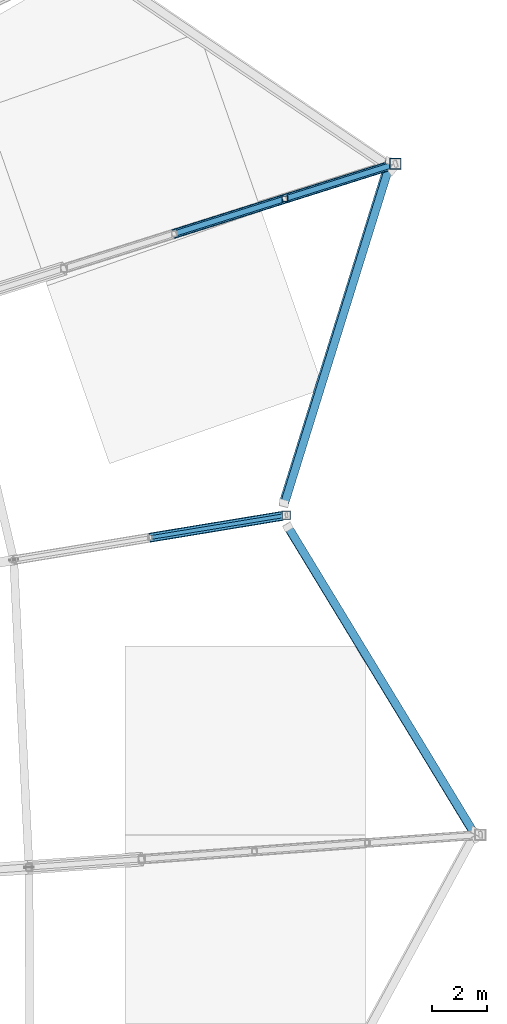
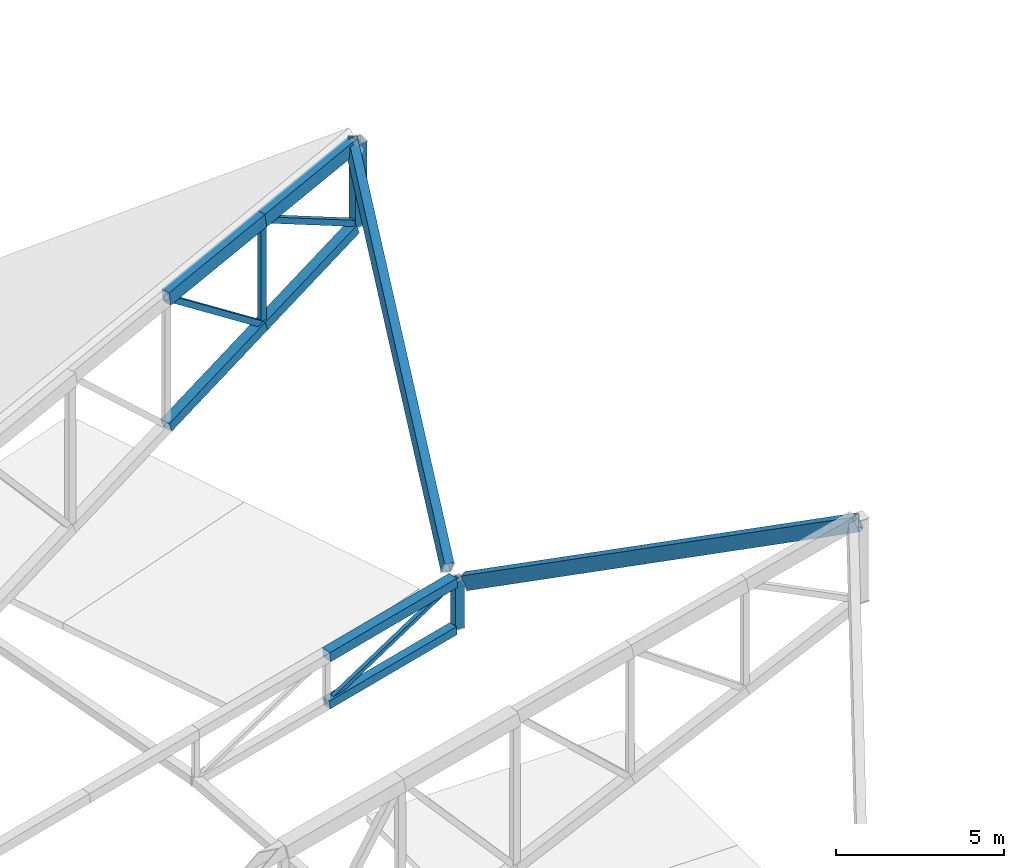
# One storey, part 104 of 188: 12 members, 2 beams.
"""IFC4 building model written with IfcOpenShell, lengths in metres."""

import ifcopenshell
import ifcopenshell.guid

model = None  # the IFC model being written
_history = None  # IfcOwnerHistory: only IFC2X3 demands one
_inside = {}  # id of a spatial element -> (the spatial element, [elements in it])
_under = {}  # id of a project, library or spatial element -> (it, [spatial elements below it])
_declared = {}  # id of a project -> (the project, [libraries it declares])
_typed = {}  # id of a type object -> (the type object, [elements of that type])
_made_of = {}  # id of a material, layer set ... -> (it, [elements and type objects made of it])


def new_model(schema):
    """Start an empty IFC model of exactly this schema.

    Asked for "IFC4X3", IfcOpenShell would pick the latest addendum, in which some entities
    have other attributes; the version numbers below select the first issue.
    IFC2X3 requires an IfcOwnerHistory on every rooted entity: one is made here for all.
    """
    global model, _history
    if schema == "IFC4X3":
        model = ifcopenshell.file(schema_version=(4, 3, 0, 0))
    else:
        model = ifcopenshell.file(schema=schema)
    _inside.clear()
    _under.clear()
    _declared.clear()
    _typed.clear()
    _made_of.clear()
    _history = None
    if model.schema == "IFC2X3":
        org = make("IfcOrganization", Name="unknown")
        user = make(
            "IfcPersonAndOrganization",
            ThePerson=make("IfcPerson", FamilyName="unknown"),
            TheOrganization=org,
        )
        app = make(
            "IfcApplication",
            ApplicationDeveloper=org,
            Version="unknown",
            ApplicationFullName="unknown",
            ApplicationIdentifier="unknown",
        )
        _history = make(
            "IfcOwnerHistory",
            OwningUser=user,
            OwningApplication=app,
            ChangeAction="ADDED",
            CreationDate=0,
        )
    return model


def make(cls, **values):
    """One entity of the class cls with the attributes given. An attribute that is None is left unset."""
    return model.create_entity(
        cls, **{name: value for name, value in values.items() if value is not None}
    )


def rooted(cls, **values):
    """An entity with a GlobalId (a new one), such as an element, a storey or a relation."""
    return make(cls, GlobalId=ifcopenshell.guid.new(), OwnerHistory=_history, **values)


def si_unit(unit_type, name, prefix=None):
    """IfcSIUnit, for example si_unit("LENGTHUNIT", "METRE", prefix="MILLI")."""
    return make("IfcSIUnit", UnitType=unit_type, Prefix=prefix, Name=name)


def assignment(units):
    """IfcUnitAssignment: the units of a project."""
    return None if units is None else make("IfcUnitAssignment", Units=units)


def point(xyz):
    """IfcCartesianPoint."""
    return None if xyz is None else make("IfcCartesianPoint", Coordinates=xyz)


def direction(xyz):
    """IfcDirection."""
    return None if xyz is None else make("IfcDirection", DirectionRatios=xyz)


def frame(location, z_axis=None, x_axis=None):
    """IfcAxis2Placement3D, a coordinate frame: its origin and axes. An axis left out is left unset."""
    return make(
        "IfcAxis2Placement3D",
        Location=point(location),
        Axis=direction(z_axis),
        RefDirection=direction(x_axis),
    )


def frame_2d(location, x_axis=None):
    """IfcAxis2Placement2D, a coordinate frame in the plane: its origin and x axis."""
    return make(
        "IfcAxis2Placement2D", Location=point(location), RefDirection=direction(x_axis)
    )


def origin():
    """The frame at (0, 0, 0) with its axes left unset."""
    return frame((0.0, 0.0, 0.0))


def origin_2d():
    """The frame at (0, 0) in the plane with its x axis left unset."""
    return frame_2d((0.0, 0.0))


def place(relative_to, where):
    """IfcLocalPlacement: puts the frame where relative to a parent placement (None: the world)."""
    return make(
        "IfcLocalPlacement", PlacementRelTo=relative_to, RelativePlacement=where
    )


def context(
    kind, dimensions, precision=None, world=None, true_north=None, identifier=None
):
    """IfcGeometricRepresentationContext, for example the 3D "Model" context."""
    return make(
        "IfcGeometricRepresentationContext",
        ContextIdentifier=identifier,
        ContextType=kind,
        CoordinateSpaceDimension=dimensions,
        Precision=precision,
        WorldCoordinateSystem=world,
        TrueNorth=true_north,
    )


def subcontext(parent, identifier, kind, view, scale=None):
    """IfcGeometricRepresentationSubContext, for example "Body" below "Model"."""
    return make(
        "IfcGeometricRepresentationSubContext",
        ContextIdentifier=identifier,
        ContextType=kind,
        ParentContext=parent,
        TargetScale=scale,
        TargetView=view,
    )


def project(units=None, contexts=None):
    """IfcProject with its units and contexts."""
    return rooted(
        "IfcProject",
        Name="project",
        RepresentationContexts=contexts,
        UnitsInContext=assignment(units),
    )


def spatial(cls, under=None, at=None, **own):
    """A site, building, storey or space (cls), placed at a placement, below another one or the project."""
    s = rooted(cls, ObjectPlacement=at, **own)
    if under is not None:
        _under.setdefault(under.id(), (under, []))[1].append(s)
    return s


def profile(cls, at=None, kind="AREA", **sizes):
    """A parametric profile (cls). Its sizes go by their IFC names, for example OverallWidth=200.0."""
    return make(cls, ProfileType=kind, Position=at, **sizes)


def hollow_rectangle(**sizes):
    """IfcRectangleHollowProfileDef."""
    return profile("IfcRectangleHollowProfileDef", **sizes)


def extrude(swept, where, along, depth):
    """IfcExtrudedAreaSolid: the profile swept, set in the frame where, extruded along a direction by depth."""
    return make(
        "IfcExtrudedAreaSolid",
        SweptArea=swept,
        Position=where,
        ExtrudedDirection=direction(along),
        Depth=depth,
    )


def shape(context_of_items, identifier, shape_type, items):
    """IfcShapeRepresentation: the items that make up one representation, for example the "Body"."""
    return make(
        "IfcShapeRepresentation",
        ContextOfItems=context_of_items,
        RepresentationIdentifier=identifier,
        RepresentationType=shape_type,
        Items=items,
    )


def material(Name=None, Category=None):
    """IfcMaterial."""
    return make("IfcMaterial", Name=Name, Category=Category)


def material_profile(
    of_material, cross_section, Name=None, Category=None, Priority=None
):
    """IfcMaterialProfile: a cross section and its material."""
    return make(
        "IfcMaterialProfile",
        Name=Name,
        Material=of_material,
        Profile=cross_section,
        Priority=Priority,
        Category=Category,
    )


def profile_set(profiles, Name=None, composite=None):
    """IfcMaterialProfileSet."""
    return make(
        "IfcMaterialProfileSet",
        Name=Name,
        MaterialProfiles=profiles,
        CompositeProfile=composite,
    )


def made_of(thing, what):
    """Note that an element or type object is made of a material, layer set ...; save() writes the relation."""
    if what is not None:
        _made_of.setdefault(what.id(), (what, []))[1].append(thing)
    return thing


def type_object(cls, material=None, **own):
    """A type object (cls), such as IfcWallType, which elements share."""
    return made_of(rooted(cls, **own), material)


def element(
    cls,
    number,
    at=None,
    inside=None,
    cuts=None,
    type_object=None,
    material=None,
    context=None,
    identifier="Body",
    shape_type=None,
    held_by="IfcProductDefinitionShape",
    body=None,
    shapes=None,
    **own,
):
    """One element of the class cls, such as IfcWall. Its Tag is "e" and its number.

    at: its placement. inside: the storey or other place that contains it. cuts: it is an
    opening in that element (IfcRelVoidsElement). A single representation is given by context,
    identifier, shape_type and body (its items); several are given by shapes. held_by: the class
    of the entity that holds the representations. save() writes the other relations.
    """
    e = rooted(cls, Tag="e%d" % number, ObjectPlacement=at, **own)
    if body is not None:
        shapes = [shape(context, identifier, shape_type, body)]
    if shapes is not None:
        e.Representation = make(held_by, Representations=shapes)
    if inside is not None:
        _inside.setdefault(inside.id(), (inside, []))[1].append(e)
    if cuts is not None:
        rooted(
            "IfcRelVoidsElement", RelatingBuildingElement=cuts, RelatedOpeningElement=e
        )
    if type_object is not None:
        _typed.setdefault(type_object.id(), (type_object, []))[1].append(e)
    return made_of(e, material)


def aggregate(whole, parts):
    """IfcRelAggregates: a whole, such as a stair, and the parts it consists of."""
    return rooted("IfcRelAggregates", RelatingObject=whole, RelatedObjects=parts)


def save(model, path):
    """Write the relations noted so far, then the file.

    IfcRelAggregates (storeys below a building ...), IfcRelContainedInSpatialStructure (elements
    in a storey), IfcRelDefinesByType, IfcRelAssociatesMaterial and IfcRelDeclares: one each for
    every whole, place, type object, material and project.
    """
    for whole, parts in _under.values():
        aggregate(whole, parts)
    for where, things in _inside.values():
        rooted(
            "IfcRelContainedInSpatialStructure",
            RelatedElements=things,
            RelatingStructure=where,
        )
    for kind, things in _typed.values():
        rooted("IfcRelDefinesByType", RelatedObjects=things, RelatingType=kind)
    for what, things in _made_of.values():
        rooted("IfcRelAssociatesMaterial", RelatedObjects=things, RelatingMaterial=what)
    for by, libraries in _declared.values():
        rooted("IfcRelDeclares", RelatingContext=by, RelatedDefinitions=libraries)
    model.write(path)


model = new_model("IFC4")

# Units and contexts
model_context = context("Model", 3, precision=1e-05, world=origin(), true_north=direction((0.0, 1.0)))
body_context = subcontext(model_context, "Body", "Model", "MODEL_VIEW")
ifc_project = project(units=[si_unit("LENGTHUNIT", "METRE"), si_unit("AREAUNIT", "SQUARE_METRE"), si_unit("VOLUMEUNIT", "CUBIC_METRE"), si_unit("PLANEANGLEUNIT", "RADIAN"), si_unit("MASSUNIT", "GRAM", prefix="KILO")], contexts=[model_context])

# Site, building, storey
site_placement = place(None, origin())
site = spatial("IfcSite", under=ifc_project, at=site_placement, CompositionType="ELEMENT")
building_placement = place(site_placement, origin())
building = spatial("IfcBuilding", under=site, at=building_placement, Name="Meseta Stadium", CompositionType="ELEMENT")
storey_placement = place(building_placement, frame((0.0, 0.0, 30.0)))
storey = spatial("IfcBuildingStorey", under=building, at=storey_placement, Name="ROOF", CompositionType="ELEMENT", Elevation=30.0)

# Beams
ifc_material_1 = material(Name="Steel S355", Category="steel")
ifc_material_profile_1 = material_profile(ifc_material_1, hollow_rectangle(XDim=0.300048828125, YDim=0.5, WallThickness=0.01611328125, at=origin_2d()), Name="RHS 500x300x16")
ifc_profile_set_1 = profile_set([ifc_material_profile_1], Name="Steel S355")
beam_type = type_object("IfcBeamType", Name="RHS 500x300x16 rim ring beam", PredefinedType="BEAM", material=ifc_profile_set_1)
beam_1_placement = place(storey_placement, frame((101.27294921875, 43.630615234375, 10.410400390625), z_axis=(-0.465079975823, 0.765248106248, -0.445079714178), x_axis=(-0.862657043024, -0.504663486246, 0.033728204391)))
element("IfcBeam", 1, at=beam_1_placement, inside=storey, type_object=beam_type, Name="RIM RING BEAM 09", PredefinedType="BEAM", context=body_context, shape_type="SweptSolid", body=[
    extrude(hollow_rectangle(XDim=0.300048828125, YDim=0.5, WallThickness=0.01611328125, at=origin_2d()), origin(), (0.0, 0.0, 1.0), 14.867919921875),
])
beam_2_placement = place(storey_placement, frame((94.2099609375, 55.8857421875, 3.80908203125), z_axis=(0.264977235842, 0.852369787158, 0.450835680072), x_axis=(-0.963992361647, 0.245072414264, 0.103238744924)))
element("IfcBeam", 2, at=beam_2_placement, inside=storey, type_object=beam_type, Name="RIM RING BEAM 10", PredefinedType="BEAM", context=body_context, shape_type="SweptSolid", body=[
    extrude(hollow_rectangle(XDim=0.300048828125, YDim=0.5, WallThickness=0.01611328125, at=origin_2d()), origin(), (0.0, 0.0, 1.0), 14.6728515625),
])

# Members
ifc_material_2 = material(Name="Steel S355", Category="steel")
ifc_material_profile_2 = material_profile(ifc_material_2, hollow_rectangle(XDim=0.300048828125, YDim=0.5, WallThickness=0.01611328125, at=origin_2d()), Name="RHS 500x300x16")
ifc_profile_set_2 = profile_set([ifc_material_profile_2], Name="Steel S355")
member_type_1 = type_object("IfcMemberType", Name="RHS 500x300x16 top chord", PredefinedType="CHORD", material=ifc_profile_set_2)
member_1_placement = place(storey_placement, frame((90.20556640625, 65.744384765625, 9.07763671875), z_axis=(0.941780820573, 0.297395489509, 0.156859200624), x_axis=(-0.301123099749, 0.953585276102, 0.0)))
element("IfcMember", 3, at=member_1_placement, inside=storey, type_object=member_type_1, Name="ROOF TRUSS RT-10 top chord", PredefinedType="CHORD", context=body_context, shape_type="SweptSolid", body=[
    extrude(hollow_rectangle(XDim=0.300048828125, YDim=0.5, WallThickness=0.01611328125, at=origin_2d()), origin(), (0.0, 0.0, 1.0), 4.292724609375),
])
member_2_placement = place(storey_placement, frame((94.248291015625, 67.02099609375, 9.7509765625), z_axis=(0.941786082146, 0.297365316664, 0.156884810998), x_axis=(-0.301093788888, 0.953594531388, 0.0)))
element("IfcMember", 4, at=member_2_placement, inside=storey, type_object=member_type_1, Name="ROOF TRUSS RT-10 top chord", PredefinedType="CHORD", context=body_context, shape_type="SweptSolid", body=[
    extrude(hollow_rectangle(XDim=0.300048828125, YDim=0.5, WallThickness=0.01611328125, at=origin_2d()), origin(), (0.0, 0.0, 1.0), 4.0927734375),
])
ifc_material_3 = material(Name="Steel S355", Category="steel")
ifc_material_profile_3 = material_profile(ifc_material_3, hollow_rectangle(XDim=0.139892578125, YDim=0.139892578125, WallThickness=0.0048828125, at=origin_2d()), Name="SHS 140x140x5")
ifc_profile_set_3 = profile_set([ifc_material_profile_3], Name="Steel S355")
member_type_2 = type_object("IfcMemberType", Name="SHS 140x140x5 diagonal", PredefinedType="BRACE", material=ifc_profile_set_3)
member_3_placement = place(storey_placement, frame((89.309814453125, 54.62158203125, 1.353759765625), z_axis=(0.897333658577, 0.147585170471, 0.415945816955), x_axis=(-0.162290401428, 0.986743039299, 0.0)))
element("IfcMember", 5, at=member_3_placement, inside=storey, type_object=member_type_2, Name="ROOF TRUSS RT-09 diagonal", PredefinedType="BRACE", context=body_context, shape_type="SweptSolid", body=[
    extrude(hollow_rectangle(XDim=0.139892578125, YDim=0.139892578125, WallThickness=0.0048828125, at=origin_2d()), origin(), (0.0, 0.0, 1.0), 5.554931640625),
])
ifc_material_4 = material(Name="Steel S355", Category="steel")
ifc_material_profile_4 = material_profile(ifc_material_4, hollow_rectangle(XDim=0.199951171875, YDim=0.199951171875, WallThickness=0.008056640625, at=origin_2d()), Name="SHS 200x200x8")
ifc_profile_set_4 = profile_set([ifc_material_profile_4], Name="Steel S355")
member_type_3 = type_object("IfcMemberType", Name="SHS 200x200x8 diagonal", PredefinedType="BRACE", material=ifc_profile_set_4)
member_4_placement = place(storey_placement, frame((90.20556640625, 65.744384765625, 9.07763671875), z_axis=(0.764571271656, 0.241436269067, -0.597611327317), x_axis=(-0.301123099749, 0.953585276102, 0.0)))
element("IfcMember", 6, at=member_4_placement, inside=storey, type_object=member_type_3, Name="ROOF TRUSS RT-10 diagonal", PredefinedType="BRACE", context=body_context, shape_type="SweptSolid", body=[
    extrude(hollow_rectangle(XDim=0.199951171875, YDim=0.199951171875, WallThickness=0.008056640625, at=origin_2d()), origin(), (0.0, 0.0, 1.0), 5.28759765625),
])
member_5_placement = place(storey_placement, frame((94.248291015625, 67.02099609375, 9.7509765625), z_axis=(0.835999396133, 0.263941351711, -0.481082085014), x_axis=(-0.301070732977, 0.953601810896, 0.0)))
element("IfcMember", 7, at=member_5_placement, inside=storey, type_object=member_type_3, Name="ROOF TRUSS RT-10 diagonal", PredefinedType="BRACE", context=body_context, shape_type="SweptSolid", body=[
    extrude(hollow_rectangle(XDim=0.199951171875, YDim=0.199951171875, WallThickness=0.008056640625, at=origin_2d()), origin(), (0.0, 0.0, 1.0), 4.835693359375),
])
ifc_material_5 = material(Name="Steel S355", Category="steel")
ifc_material_profile_5 = material_profile(ifc_material_5, hollow_rectangle(XDim=0.199951171875, YDim=0.199951171875, WallThickness=0.008056640625, at=origin_2d()), Name="SHS 200x200x8")
ifc_profile_set_5 = profile_set([ifc_material_profile_5], Name="Steel S355")
member_type_4 = type_object("IfcMemberType", Name="SHS 200x200x8 post", PredefinedType="POST", material=ifc_profile_set_5)
member_6_placement = place(storey_placement, frame((94.248291015625, 67.02099609375, 5.917724609375), z_axis=(0.0, 0.0, 1.0), x_axis=(1.0, 0.0, 0.0)))
element("IfcMember", 8, at=member_6_placement, inside=storey, type_object=member_type_4, Name="ROOF TRUSS RT-10 post", PredefinedType="POST", context=body_context, shape_type="SweptSolid", body=[
    extrude(hollow_rectangle(XDim=0.199951171875, YDim=0.199951171875, WallThickness=0.008056640625, at=origin_2d()), origin(), (0.0, 0.0, 1.0), 3.833251953125),
])
ifc_material_6 = material(Name="Steel S355", Category="steel")
ifc_material_profile_6 = material_profile(ifc_material_6, hollow_rectangle(XDim=0.300048828125, YDim=0.300048828125, WallThickness=0.010009765625, at=origin_2d()), Name="SHS 300x300x10")
ifc_profile_set_6 = profile_set([ifc_material_profile_6], Name="Steel S355")
member_type_5 = type_object("IfcMemberType", Name="SHS 300x300x10 bottom chord", PredefinedType="CHORD", material=ifc_profile_set_6)
member_7_placement = place(storey_placement, frame((89.309814453125, 54.62158203125, 1.353759765625), z_axis=(0.980866957156, 0.161332664448, 0.108957715388), x_axis=(-0.162298929731, 0.986741636604, 0.0)))
element("IfcMember", 9, at=member_7_placement, inside=storey, type_object=member_type_5, Name="ROOF TRUSS RT-09 bottom chord", PredefinedType="CHORD", context=body_context, shape_type="SweptSolid", body=[
    extrude(hollow_rectangle(XDim=0.300048828125, YDim=0.300048828125, WallThickness=0.010009765625, at=origin_2d()), origin(), (0.0, 0.0, 1.0), 4.931640625),
])
ifc_material_7 = material(Name="Steel S355", Category="steel")
ifc_material_profile_7 = material_profile(ifc_material_7, hollow_rectangle(XDim=0.300048828125, YDim=0.300048828125, WallThickness=0.010009765625, at=origin_2d()), Name="SHS 300x300x10")
ifc_profile_set_7 = profile_set([ifc_material_profile_7], Name="Steel S355")
member_type_6 = type_object("IfcMemberType", Name="SHS 300x300x10 rim post", PredefinedType="POST", material=ifc_profile_set_7)
member_8_placement = place(storey_placement, frame((94.29443359375, 55.44140625, 1.907470703125), z_axis=(0.0, 0.0, 1.0), x_axis=(1.0, 0.0, 0.0)))
element("IfcMember", 10, at=member_8_placement, inside=storey, type_object=member_type_6, Name="ROOF TRUSS RT-09 post", PredefinedType="POST", context=body_context, shape_type="SweptSolid", body=[
    extrude(hollow_rectangle(XDim=0.300048828125, YDim=0.300048828125, WallThickness=0.010009765625, at=origin_2d()), origin(), (0.0, 0.0, 1.0), 1.7568359375),
])
ifc_material_8 = material(Name="Steel S355", Category="steel")
ifc_material_profile_8 = material_profile(ifc_material_8, hollow_rectangle(XDim=0.35009765625, YDim=0.35009765625, WallThickness=0.010009765625, at=origin_2d()), Name="SHS 350x350x10")
ifc_profile_set_8 = profile_set([ifc_material_profile_8], Name="Steel S355")
member_type_7 = type_object("IfcMemberType", Name="SHS 350x350x10 bottom chord", PredefinedType="CHORD", material=ifc_profile_set_8)
member_9_placement = place(storey_placement, frame((90.20556640625, 65.744384765625, 4.410888671875), z_axis=(0.898518294151, 0.28373405158, 0.334902766562), x_axis=(-0.301123099749, 0.953585276102, 0.0)))
element("IfcMember", 11, at=member_9_placement, inside=storey, type_object=member_type_7, Name="ROOF TRUSS RT-10 bottom chord", PredefinedType="CHORD", context=body_context, shape_type="SweptSolid", body=[
    extrude(hollow_rectangle(XDim=0.35009765625, YDim=0.35009765625, WallThickness=0.010009765625, at=origin_2d()), origin(), (0.0, 0.0, 1.0), 4.499267578125),
])
member_10_placement = place(storey_placement, frame((94.248291015625, 67.02099609375, 5.917724609375), z_axis=(0.898538265104, 0.283707082883, 0.334872031177), x_axis=(-0.301090987654, 0.953595415862, 0.0)))
element("IfcMember", 12, at=member_10_placement, inside=storey, type_object=member_type_7, Name="ROOF TRUSS RT-10 bottom chord", PredefinedType="CHORD", context=body_context, shape_type="SweptSolid", body=[
    extrude(hollow_rectangle(XDim=0.35009765625, YDim=0.35009765625, WallThickness=0.010009765625, at=origin_2d()), origin(), (0.0, 0.0, 1.0), 4.29931640625),
])
ifc_material_9 = material(Name="Steel S355", Category="steel")
ifc_material_profile_9 = material_profile(ifc_material_9, hollow_rectangle(XDim=0.35009765625, YDim=0.35009765625, WallThickness=0.010009765625, at=origin_2d()), Name="SHS 350x350x10")
ifc_profile_set_9 = profile_set([ifc_material_profile_9], Name="Steel S355")
member_type_8 = type_object("IfcMemberType", Name="SHS 350x350x10 top chord", PredefinedType="CHORD", material=ifc_profile_set_9)
member_11_placement = place(storey_placement, frame((89.309814453125, 54.62158203125, 3.110595703125), z_axis=(0.980866957156, 0.161332664448, 0.108957715388), x_axis=(-0.162298929731, 0.986741636604, 0.0)))
element("IfcMember", 13, at=member_11_placement, inside=storey, type_object=member_type_8, Name="ROOF TRUSS RT-09 top chord", PredefinedType="CHORD", context=body_context, shape_type="SweptSolid", body=[
    extrude(hollow_rectangle(XDim=0.35009765625, YDim=0.35009765625, WallThickness=0.010009765625, at=origin_2d()), origin(), (0.0, 0.0, 1.0), 4.931640625),
])
ifc_material_10 = material(Name="Steel S355", Category="steel")
ifc_material_profile_10 = material_profile(ifc_material_10, hollow_rectangle(XDim=0.39990234375, YDim=0.39990234375, WallThickness=0.01416015625, at=origin_2d()), Name="SHS 400x400x14.2")
ifc_profile_set_10 = profile_set([ifc_material_profile_10], Name="Steel S355")
member_type_9 = type_object("IfcMemberType", Name="SHS 400x400x14.2 rim post", PredefinedType="POST", material=ifc_profile_set_10)
member_12_placement = place(storey_placement, frame((98.291015625, 68.29736328125, 7.424560546875), z_axis=(0.0, 0.0, 1.0), x_axis=(1.0, 0.0, 0.0)))
element("IfcMember", 14, at=member_12_placement, inside=storey, type_object=member_type_9, Name="ROOF TRUSS RT-10 post", PredefinedType="POST", context=body_context, shape_type="SweptSolid", body=[
    extrude(hollow_rectangle(XDim=0.39990234375, YDim=0.39990234375, WallThickness=0.01416015625, at=origin_2d()), origin(), (0.0, 0.0, 1.0), 3.0),
])

save(model, "model.ifc")
